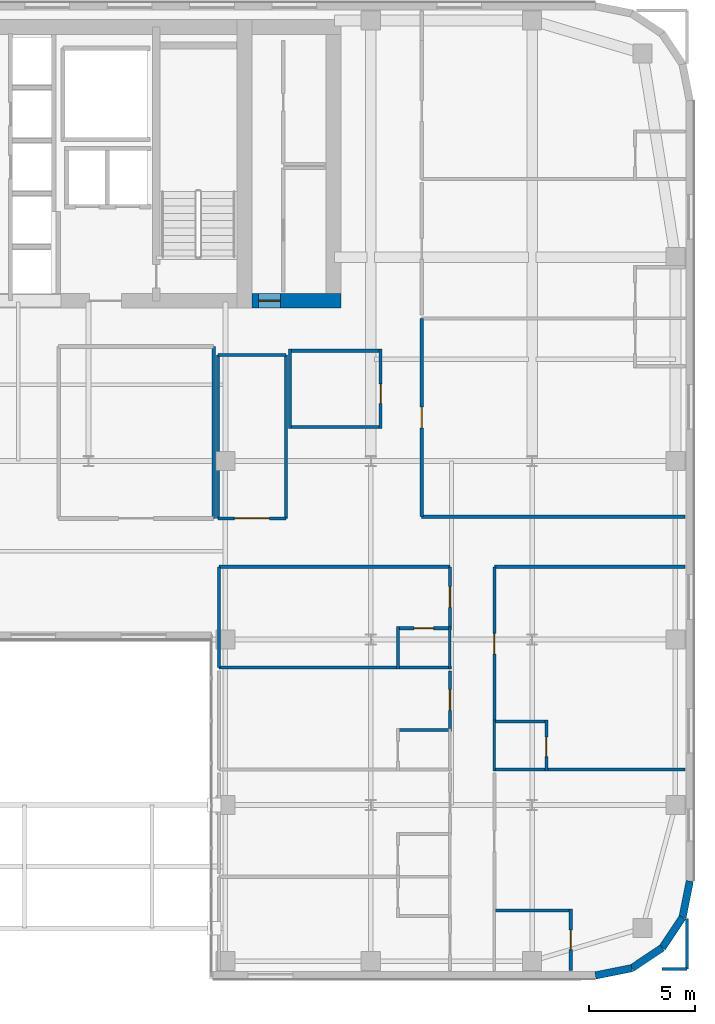
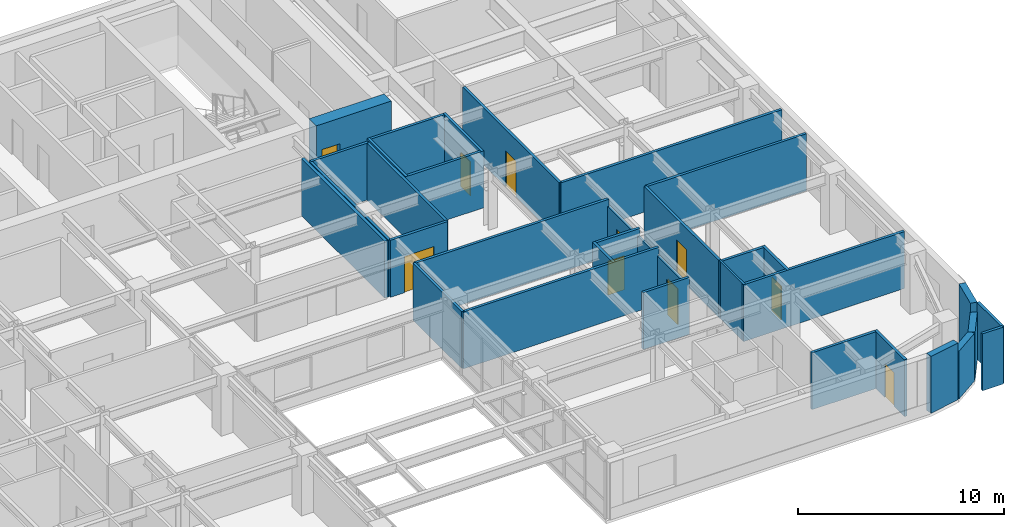
# One storey, part 16 of 24: 35 walls, 10 doors, 10 openings.
"""IFC4 building model written with IfcOpenShell, lengths in metres."""

from ifc_helpers import new_model, si_unit, direction, frame, frame_2d, origin, place, context, subcontext, project, spatial, rectangle, extrude, source, transform, mapped, material, layer, layer_set, type_object, type_shapes, element, fill, save


model = new_model("IFC4")

# Units and contexts
model_context = context("Model", 3, precision=1e-05, world=origin(), true_north=direction((0.0, 1.0)))
body_context = subcontext(model_context, "Body", "Model", "MODEL_VIEW")
ifc_project = project(units=[si_unit("LENGTHUNIT", "METRE"), si_unit("AREAUNIT", "SQUARE_METRE"), si_unit("VOLUMEUNIT", "CUBIC_METRE"), si_unit("PLANEANGLEUNIT", "RADIAN"), si_unit("MASSUNIT", "GRAM", prefix="KILO")], contexts=[model_context])

# Site, building, storey
site_placement = place(None, origin())
site = spatial("IfcSite", under=ifc_project, at=site_placement, CompositionType="ELEMENT")
building_placement = place(site_placement, origin())
building = spatial("IfcBuilding", under=site, at=building_placement, Name="Tolvann Quenvar Hotel", CompositionType="ELEMENT")
storey_placement = place(building_placement, frame((0.0, 0.0, 118.64990234375)))
storey = spatial("IfcBuildingStorey", under=building, at=storey_placement, Name="L30", CompositionType="ELEMENT", Elevation=118.64990234375)

# Wall, opening, door
ifc_material_1 = material(Name="Concrete S65 (65 MPa)", Category="concrete")
ifc_layer_1 = layer(ifc_material_1, 0.699951171875)
ifc_layer_set_1 = layer_set([ifc_layer_1], Name="Concrete S65 (65 MPa)")
wall_type_1 = type_object("IfcWallType", Name="WALL_CORE_700", PredefinedType="SHEAR", material=ifc_layer_set_1)
wall_1_placement = place(storey_placement, frame((36.199951171875, 31.949951171875, 0.0), z_axis=(0.0, 0.0, 1.0), x_axis=(1.0, 0.0, 0.0)))
wall_1 = element("IfcWall", 1, at=wall_1_placement, inside=storey, type_object=wall_type_1, Name="Core East Annex Shear Wall ANN-S (L30)", PredefinedType="SHEAR", context=body_context, shape_type="SweptSolid", body=[
    extrude(rectangle(XDim=4.199951171875, YDim=0.699951171875, at=frame_2d((2.10009765625, 0.0))), origin(), (0.0, 0.0, 1.0), 3.550048828125),
])
opening_1_placement = place(wall_1_placement, frame((1.340087890625, 0.0, 0.0), z_axis=(0.0, 0.0, 1.0), x_axis=(-1.0, 0.0, 0.0)))
opening_1 = element("IfcOpeningElement", 2, at=opening_1_placement, cuts=wall_1, Name="Opening HD-01", PredefinedType="OPENING", context=body_context, shape_type="SweptSolid", body=[
    extrude(rectangle(XDim=1.02001953125, YDim=2.030029296875, at=frame_2d((0.510009765625, 1.01513671875))), frame((0.0, 0.35986328125, 0.0), z_axis=(0.0, -1.0, 0.0), x_axis=(1.0, 0.0, 0.0)), (0.0, 0.0, 1.0), 0.719970703125),
])
ifc_material_2 = material(Name="Pressed galvanised steel fire-rated door set", Category="steel")
door_type_1 = type_object("IfcDoorType", Name="DOOR_BOH_1020", OperationType="NOTDEFINED", PredefinedType="DOOR", material=ifc_material_2)
shared_shape_1 = source(origin(), body_context, "Body", "SweptSolid", [
    extrude(rectangle(XDim=1.02001953125, YDim=2.030029296875, at=frame_2d((0.510009765625, 1.01513671875))), frame((0.0, 0.02490234375, 0.0), z_axis=(0.0, -1.0, 0.0), x_axis=(1.0, 0.0, 0.0)), (0.0, 0.0, 1.0), 0.050048828125),
])
type_shapes(door_type_1, [shared_shape_1])
door_1_placement = place(opening_1_placement, origin())
door_1 = element("IfcDoor", 3, at=door_1_placement, inside=storey, type_object=door_type_1, Name="Housekeeping Annex Fire Door (L30)", OperationType="SINGLE_SWING_RIGHT", OverallHeight=2.030029296875, OverallWidth=1.02001953125, PredefinedType="DOOR", context=body_context, shape_type="MappedRepresentation", body=[
    mapped(shared_shape_1, transform((0.0, 0.0, 0.0), x_axis=(1.0, 0.0, 0.0), y_axis=(0.0, 1.0, 0.0), z_axis=(0.0, 0.0, 1.0), scale=1.0)),
])
fill(opening_1, door_1)

# Walls
ifc_material_3 = material(Name="Kiln-fired red and buff architectural clay brickwork and terracotta masonry", Category="masonry")
ifc_layer_2 = layer(ifc_material_3, 0.35009765625)
ifc_layer_set_2 = layer_set([ifc_layer_2], Name="Kiln-fired red and buff architectural clay brickwork and terracotta masonry")
wall_type_2 = type_object("IfcWallType", Name="WALL_EXT_BRICK_350", PredefinedType="SOLIDWALL", material=ifc_layer_set_2)
wall_2_placement = place(storey_placement, frame((52.3828125, 0.175048828125, 0.0), z_axis=(0.0, 0.0, 1.0), x_axis=(0.980800971659, 0.195011420161, 0.0)))
element("IfcWall", 4, at=wall_2_placement, inside=storey, type_object=wall_type_2, Name="Exterior Chicago Brick Wall L30-E09", PredefinedType="SOLIDWALL", context=body_context, shape_type="SweptSolid", body=[
    extrude(rectangle(XDim=1.74267578125, YDim=0.35009765625, at=frame_2d((0.871337890625, 0.0))), origin(), (0.0, 0.0, 1.0), 3.3701171875),
])
for number, where, z_axis, x_axis, name in (
    (5, (54.092041015625, 0.514892578125, 0.0), (0.0, 0.0, 1.0), (0.831483840845, 0.55554893791, 0.0), "Exterior Chicago Brick Wall L30-E10"),
    (6, (55.526611328125, 1.473388671875, 0.0), (0.0, 0.0, 1.0), (0.55554893791, 0.831483840845, 0.0), "Exterior Chicago Brick Wall L30-E11"),
):
    element("IfcWall", number, at=place(storey_placement, frame(where, z_axis=z_axis, x_axis=x_axis)), inside=storey, type_object=wall_type_2, Name=name, PredefinedType="SOLIDWALL", context=body_context, shape_type="SweptSolid", body=[
        extrude(rectangle(XDim=1.725341796875, YDim=0.35009765625, at=frame_2d((0.86279296875, 0.0))), origin(), (0.0, 0.0, 1.0), 2.83203125),
    ])
wall_3_placement = place(storey_placement, frame((56.485107421875, 2.907958984375, 0.0), z_axis=(0.0, 0.0, 1.0), x_axis=(0.195011420161, 0.980800971659, 0.0)))
element("IfcWall", 7, at=wall_3_placement, inside=storey, type_object=wall_type_2, Name="Exterior Chicago Brick Wall L30-E12", PredefinedType="SOLIDWALL", context=body_context, shape_type="SweptSolid", body=[
    extrude(rectangle(XDim=1.74267578125, YDim=0.35009765625, at=frame_2d((0.871337890625, 0.0))), origin(), (0.0, 0.0, 1.0), 3.3701171875),
])
ifc_material_4 = material(Name="Acoustic twin-stud fire-rated gypsum plasterboard partition")
ifc_layer_3 = layer(ifc_material_4, 0.179931640625)
ifc_layer_set_3 = layer_set([ifc_layer_3], Name="Acoustic twin-stud fire-rated gypsum plasterboard partition")
wall_type_3 = type_object("IfcWallType", Name="WALL_PART_ACOUSTIC_180", PredefinedType="PARTITIONING", material=ifc_layer_set_3)
wall_4_placement = place(storey_placement, frame((34.39990234375, 21.699951171875, 0.0), z_axis=(0.0, 0.0, 1.0), x_axis=(0.0, 1.0, 0.0)))
element("IfcWall", 8, at=wall_4_placement, inside=storey, type_object=wall_type_3, Name="Interior Partition PT-SPC-L30-MSP-C-E", PredefinedType="PARTITIONING", context=body_context, shape_type="SweptSolid", body=[
    extrude(rectangle(XDim=8.10009765625, YDim=0.179931640625, at=frame_2d((4.050048828125, 0.0))), origin(), (0.0, 0.0, 1.0), 3.3701171875),
])
ifc_material_5 = material(Name="Moisture-resistant acoustic plumbing wall assembly")
ifc_layer_4 = layer(ifc_material_5, 0.1201171875)
ifc_layer_set_4 = layer_set([ifc_layer_4], Name="Moisture-resistant acoustic plumbing wall assembly")
wall_type_4 = type_object("IfcWallType", Name="WALL_PART_BATH_120", PredefinedType="PLUMBINGWALL", material=ifc_layer_set_4)
wall_5_placement = place(storey_placement, frame((45.530029296875, 14.610107421875, 0.0), z_axis=(0.0, 0.0, 1.0), x_axis=(0.0, 1.0, 0.0)))
element("IfcWall", 9, at=wall_5_placement, inside=storey, type_object=wall_type_4, Name="Non-Rated Plumbing Partition PT-SPC-L30-ENS-EI04-E", PredefinedType="PLUMBINGWALL", context=body_context, shape_type="SweptSolid", body=[
    extrude(rectangle(XDim=1.989990234375, YDim=0.1201171875, at=frame_2d((0.9951171875, 0.0))), origin(), (0.0, 0.0, 1.0), 2.9541015625),
])
wall_6_placement = place(storey_placement, frame((47.6201171875, 9.81005859375, 0.0), z_axis=(0.0, 0.0, 1.0), x_axis=(0.0, 1.0, 0.0)))
element("IfcWall", 10, at=wall_6_placement, inside=storey, type_object=wall_type_4, Name="Non-Rated Plumbing Partition PT-SPC-L30-ENS-EO02-W", PredefinedType="PLUMBINGWALL", context=body_context, shape_type="SweptSolid", body=[
    extrude(rectangle(XDim=2.389892578125, YDim=0.1201171875, at=frame_2d((1.19482421875, 0.0))), origin(), (0.0, 0.0, 1.0), 3.3701171875),
])
ifc_layer_5 = layer(ifc_material_4, 0.14990234375)
ifc_layer_set_5 = layer_set([ifc_layer_5], Name="Acoustic twin-stud fire-rated gypsum plasterboard partition")
wall_type_5 = type_object("IfcWallType", Name="WALL_PART_SUITE_150", PredefinedType="PARTITIONING", material=ifc_layer_set_5)
wall_7_placement = place(storey_placement, frame((43.010009765625, 11.72998046875, 0.0), z_axis=(0.0, 0.0, 1.0), x_axis=(1.0, 0.0, 0.0)))
element("IfcWall", 11, at=wall_7_placement, inside=storey, type_object=wall_type_5, Name="Interior Partition PT-SPC-L30-ENS-EI03-N", PredefinedType="PARTITIONING", context=body_context, shape_type="SweptSolid", body=[
    extrude(rectangle(XDim=2.590087890625, YDim=0.14990234375, at=frame_2d((1.294921875, 0.0))), origin(), (0.0, 0.0, 1.0), 3.3701171875),
])
wall_8_placement = place(storey_placement, frame((43.080078125, 14.610107421875, 0.0), z_axis=(0.0, 0.0, 1.0), x_axis=(0.0, 1.0, 0.0)))
element("IfcWall", 12, at=wall_8_placement, inside=storey, type_object=wall_type_5, Name="Interior Partition PT-SPC-L30-ENS-EI04-ENT", PredefinedType="PARTITIONING", context=body_context, shape_type="SweptSolid", body=[
    extrude(rectangle(XDim=1.989990234375, YDim=0.14990234375, at=frame_2d((0.9951171875, 0.0))), origin(), (0.0, 0.0, 1.0), 3.3701171875),
])
wall_9_placement = place(storey_placement, frame((34.64990234375, 14.679931640625, 0.0), z_axis=(0.0, 0.0, 1.0), x_axis=(1.0, 0.0, 0.0)))
element("IfcWall", 13, at=wall_9_placement, inside=storey, type_object=wall_type_5, Name="Interior Partition PT-SPC-L30-ENS-EI04-S", PredefinedType="PARTITIONING", context=body_context, shape_type="SweptSolid", body=[
    extrude(rectangle(XDim=10.9501953125, YDim=0.14990234375, at=frame_2d((5.47509765625, 0.0))), origin(), (0.0, 0.0, 1.0), 3.3701171875),
])

# Wall, opening, door
wall_10_placement = place(storey_placement, frame((43.010009765625, 16.530029296875, 0.0), z_axis=(0.0, 0.0, 1.0), x_axis=(1.0, 0.0, 0.0)))
wall_10 = element("IfcWall", 14, at=wall_10_placement, inside=storey, type_object=wall_type_5, Name="Interior Partition PT-SPC-L30-ENS-EI04-N", PredefinedType="PARTITIONING", context=body_context, shape_type="SweptSolid", body=[
    extrude(rectangle(XDim=2.590087890625, YDim=0.14990234375, at=frame_2d((1.294921875, 0.0))), origin(), (0.0, 0.0, 1.0), 3.3701171875),
])
opening_2_placement = place(wall_10_placement, frame((0.8349609375, 0.0, 0.0)))
opening_2 = element("IfcOpeningElement", 15, at=opening_2_placement, cuts=wall_10, Name="Opening WD-01", PredefinedType="OPENING", context=body_context, shape_type="SweptSolid", body=[
    extrude(rectangle(XDim=0.919921875, YDim=2.010009765625, at=frame_2d((0.4599609375, 1.0048828125))), frame((0.0, 0.0849609375, 0.0), z_axis=(0.0, -1.0, 0.0), x_axis=(1.0, 0.0, 0.0)), (0.0, 0.0, 1.0), 0.169921875),
])
ifc_material_6 = material(Name="Solid-core American oak acoustic fire door leaf in steel frame", Category="steel")
door_type_2 = type_object("IfcDoorType", Name="DOOR_WC_920", OperationType="NOTDEFINED", PredefinedType="DOOR", material=ifc_material_6)
shared_shape_2 = source(origin(), body_context, "Body", "SweptSolid", [
    extrude(rectangle(XDim=0.919921875, YDim=2.010009765625, at=frame_2d((0.4599609375, 1.0048828125))), frame((0.0, 0.02490234375, 0.0), z_axis=(0.0, -1.0, 0.0), x_axis=(1.0, 0.0, 0.0)), (0.0, 0.0, 1.0), 0.050048828125),
])
type_shapes(door_type_2, [shared_shape_2])
door_2_placement = place(opening_2_placement, origin())
door_2 = element("IfcDoor", 16, at=door_2_placement, inside=storey, type_object=door_type_2, Name="Interior Door DOOR-SPC-L30-ENS-EI04", OperationType="SINGLE_SWING_RIGHT", OverallHeight=2.010009765625, OverallWidth=0.919921875, PredefinedType="DOOR", context=body_context, shape_type="MappedRepresentation", body=[
    mapped(shared_shape_2, transform((0.0, 0.0, 0.0), x_axis=(1.0, 0.0, 0.0), y_axis=(0.0, 1.0, 0.0), z_axis=(0.0, 0.0, 1.0), scale=1.0)),
])
fill(opening_2, door_2)

wall_11_placement = place(storey_placement, frame((51.219970703125, 0.405029296875, 0.0), z_axis=(0.0, 0.0, 1.0), x_axis=(0.0, 1.0, 0.0)))
wall_11 = element("IfcWall", 17, at=wall_11_placement, inside=storey, type_object=wall_type_5, Name="Interior Partition PT-SPC-L30-ENS-EO01-ENT", PredefinedType="PARTITIONING", context=body_context, shape_type="SweptSolid", body=[
    extrude(rectangle(XDim=2.89501953125, YDim=0.14990234375, at=frame_2d((1.447509765625, 0.0))), origin(), (0.0, 0.0, 1.0), 3.3701171875),
])
opening_3_placement = place(wall_11_placement, frame((0.97998046875, 0.0, 0.0)))
opening_3 = element("IfcOpeningElement", 18, at=opening_3_placement, cuts=wall_11, Name="Opening WD-01", PredefinedType="OPENING", context=body_context, shape_type="SweptSolid", body=[
    extrude(rectangle(XDim=0.919921875, YDim=2.010009765625, at=frame_2d((0.4599609375, 1.0048828125))), frame((0.0, 0.0849609375, 0.0), z_axis=(0.0, -1.0, 0.0), x_axis=(1.0, 0.0, 0.0)), (0.0, 0.0, 1.0), 0.169921875),
])
door_3_placement = place(opening_3_placement, origin())
door_3 = element("IfcDoor", 19, at=door_3_placement, inside=storey, type_object=door_type_2, Name="Interior Door DOOR-SPC-L30-ENS-EO01", OperationType="SINGLE_SWING_LEFT", OverallHeight=2.010009765625, OverallWidth=0.919921875, PredefinedType="DOOR", context=body_context, shape_type="MappedRepresentation", body=[
    mapped(shared_shape_2, transform((0.0, 0.0, 0.0), x_axis=(1.0, 0.0, 0.0), y_axis=(0.0, 1.0, 0.0), z_axis=(0.0, 0.0, 1.0), scale=1.0)),
])
fill(opening_3, door_3)

# Wall
wall_12_placement = place(storey_placement, frame((47.550048828125, 3.22998046875, 0.0), z_axis=(0.0, 0.0, 1.0), x_axis=(1.0, 0.0, 0.0)))
element("IfcWall", 20, at=wall_12_placement, inside=storey, type_object=wall_type_5, Name="Interior Partition PT-SPC-L30-ENS-EO01-N", PredefinedType="PARTITIONING", context=body_context, shape_type="SweptSolid", body=[
    extrude(rectangle(XDim=3.739990234375, YDim=0.14990234375, at=frame_2d((1.8701171875, 0.0))), origin(), (0.0, 0.0, 1.0), 3.3701171875),
])

# Wall, opening, door
wall_13_placement = place(storey_placement, frame((50.070068359375, 9.81005859375, 0.0), z_axis=(0.0, 0.0, 1.0), x_axis=(0.0, 1.0, 0.0)))
wall_13 = element("IfcWall", 21, at=wall_13_placement, inside=storey, type_object=wall_type_5, Name="Interior Partition PT-SPC-L30-ENS-EO02-ENT", PredefinedType="PARTITIONING", context=body_context, shape_type="SweptSolid", body=[
    extrude(rectangle(XDim=2.389892578125, YDim=0.14990234375, at=frame_2d((1.19482421875, 0.0))), origin(), (0.0, 0.0, 1.0), 3.3701171875),
])
opening_4_placement = place(wall_13_placement, frame((0.6650390625, 0.0, 0.0)))
opening_4 = element("IfcOpeningElement", 22, at=opening_4_placement, cuts=wall_13, Name="Opening WD-01", PredefinedType="OPENING", context=body_context, shape_type="SweptSolid", body=[
    extrude(rectangle(XDim=0.919921875, YDim=2.010009765625, at=frame_2d((0.4599609375, 1.0048828125))), frame((0.0, 0.0849609375, 0.0), z_axis=(0.0, -1.0, 0.0), x_axis=(1.0, 0.0, 0.0)), (0.0, 0.0, 1.0), 0.169921875),
])
door_4_placement = place(opening_4_placement, origin())
door_4 = element("IfcDoor", 23, at=door_4_placement, inside=storey, type_object=door_type_2, Name="Interior Door DOOR-SPC-L30-ENS-EO02", OperationType="SINGLE_SWING_RIGHT", OverallHeight=2.010009765625, OverallWidth=0.919921875, PredefinedType="DOOR", context=body_context, shape_type="MappedRepresentation", body=[
    mapped(shared_shape_2, transform((0.0, 0.0, 0.0), x_axis=(1.0, 0.0, 0.0), y_axis=(0.0, 1.0, 0.0), z_axis=(0.0, 0.0, 1.0), scale=1.0)),
])
fill(opening_4, door_4)

# Walls
wall_14_placement = place(storey_placement, frame((47.550048828125, 9.8798828125, 0.0), z_axis=(0.0, 0.0, 1.0), x_axis=(1.0, 0.0, 0.0)))
element("IfcWall", 24, at=wall_14_placement, inside=storey, type_object=wall_type_5, Name="Interior Partition PT-SPC-L30-ENS-EO02-S", PredefinedType="PARTITIONING", context=body_context, shape_type="SweptSolid", body=[
    extrude(rectangle(XDim=9.044921875, YDim=0.14990234375, at=frame_2d((4.5224609375, 0.0))), origin(), (0.0, 0.0, 1.0), 3.3701171875),
])
wall_15_placement = place(storey_placement, frame((47.550048828125, 12.1298828125, 0.0), z_axis=(0.0, 0.0, 1.0), x_axis=(1.0, 0.0, 0.0)))
element("IfcWall", 25, at=wall_15_placement, inside=storey, type_object=wall_type_5, Name="Interior Partition PT-SPC-L30-ENS-EO02-N", PredefinedType="PARTITIONING", context=body_context, shape_type="SweptSolid", body=[
    extrude(rectangle(XDim=2.58984375, YDim=0.14990234375, at=frame_2d((1.294921875, 0.0))), origin(), (0.0, 0.0, 1.0), 3.3701171875),
])

# Wall, opening, door
wall_16_placement = place(storey_placement, frame((45.530029296875, 11.81005859375, 0.0), z_axis=(0.0, 0.0, 1.0), x_axis=(0.0, 1.0, 0.0)))
wall_16 = element("IfcWall", 26, at=wall_16_placement, inside=storey, type_object=wall_type_5, Name="Interior Partition PT-SPC-L30-RM-EI03-ENT", PredefinedType="PARTITIONING", context=body_context, shape_type="SweptSolid", body=[
    extrude(rectangle(XDim=2.7099609375, YDim=0.14990234375, at=frame_2d((1.35498046875, 0.0))), origin(), (0.0, 0.0, 1.0), 2.9541015625),
])
opening_5_placement = place(wall_16_placement, frame((0.844970703125, 0.0, 0.0)))
opening_5 = element("IfcOpeningElement", 27, at=opening_5_placement, cuts=wall_16, Name="Opening SD-01", PredefinedType="OPENING", context=body_context, shape_type="SweptSolid", body=[
    extrude(rectangle(XDim=0.97998046875, YDim=2.1201171875, at=frame_2d((0.489990234375, 1.06005859375))), frame((0.0, 0.0849609375, 0.0), z_axis=(0.0, -1.0, 0.0), x_axis=(1.0, 0.0, 0.0)), (0.0, 0.0, 1.0), 0.169921875),
])
door_type_3 = type_object("IfcDoorType", Name="DOOR_SUITE_980", OperationType="NOTDEFINED", PredefinedType="DOOR", material=ifc_material_6)
shared_shape_3 = source(origin(), body_context, "Body", "SweptSolid", [
    extrude(rectangle(XDim=0.97998046875, YDim=2.1201171875, at=frame_2d((0.489990234375, 1.06005859375))), frame((0.0, 0.02490234375, 0.0), z_axis=(0.0, -1.0, 0.0), x_axis=(1.0, 0.0, 0.0)), (0.0, 0.0, 1.0), 0.050048828125),
])
type_shapes(door_type_3, [shared_shape_3])
door_5_placement = place(opening_5_placement, origin())
door_5 = element("IfcDoor", 28, at=door_5_placement, inside=storey, type_object=door_type_3, Name="Interior Door DOOR-SPC-L30-RM-EI03", OperationType="SINGLE_SWING_LEFT", OverallHeight=2.1201171875, OverallWidth=0.97998046875, PredefinedType="DOOR", context=body_context, shape_type="MappedRepresentation", body=[
    mapped(shared_shape_3, transform((0.0, 0.0, 0.0), x_axis=(1.0, 0.0, 0.0), y_axis=(0.0, 1.0, 0.0), z_axis=(0.0, 0.0, 1.0), scale=1.0)),
])
fill(opening_5, door_5)

wall_17_placement = place(storey_placement, frame((45.530029296875, 16.610107421875, 0.0), z_axis=(0.0, 0.0, 1.0), x_axis=(0.0, 1.0, 0.0)))
wall_17 = element("IfcWall", 29, at=wall_17_placement, inside=storey, type_object=wall_type_5, Name="Interior Partition PT-SPC-L30-RM-EI04-ENT", PredefinedType="PARTITIONING", context=body_context, shape_type="SweptSolid", body=[
    extrude(rectangle(XDim=2.809814453125, YDim=0.14990234375, at=frame_2d((1.40478515625, 0.0))), origin(), (0.0, 0.0, 1.0), 2.9541015625),
])
opening_6_placement = place(wall_17_placement, frame((0.89501953125, 0.0, 0.0)))
opening_6 = element("IfcOpeningElement", 30, at=opening_6_placement, cuts=wall_17, Name="Opening SD-01", PredefinedType="OPENING", context=body_context, shape_type="SweptSolid", body=[
    extrude(rectangle(XDim=0.97998046875, YDim=2.1201171875, at=frame_2d((0.489990234375, 1.06005859375))), frame((0.0, 0.0849609375, 0.0), z_axis=(0.0, -1.0, 0.0), x_axis=(1.0, 0.0, 0.0)), (0.0, 0.0, 1.0), 0.169921875),
])
door_6_placement = place(opening_6_placement, origin())
door_6 = element("IfcDoor", 31, at=door_6_placement, inside=storey, type_object=door_type_3, Name="Interior Door DOOR-SPC-L30-RM-EI04", OperationType="SINGLE_SWING_RIGHT", OverallHeight=2.1201171875, OverallWidth=0.97998046875, PredefinedType="DOOR", context=body_context, shape_type="MappedRepresentation", body=[
    mapped(shared_shape_3, transform((0.0, 0.0, 0.0), x_axis=(1.0, 0.0, 0.0), y_axis=(0.0, 1.0, 0.0), z_axis=(0.0, 0.0, 1.0), scale=1.0)),
])
fill(opening_6, door_6)

# Walls
wall_18_placement = place(storey_placement, frame((34.64990234375, 19.419921875, 0.0), z_axis=(0.0, 0.0, 1.0), x_axis=(1.0, 0.0, 0.0)))
element("IfcWall", 32, at=wall_18_placement, inside=storey, type_object=wall_type_5, Name="Interior Partition PT-SPC-L30-RM-EI04-E5", PredefinedType="PARTITIONING", context=body_context, shape_type="SweptSolid", body=[
    extrude(rectangle(XDim=10.880126953125, YDim=0.14990234375, at=frame_2d((5.43994140625, 0.0))), origin(), (0.0, 0.0, 1.0), 3.3701171875),
])
wall_19_placement = place(storey_placement, frame((34.64990234375, 14.679931640625, 0.0), z_axis=(0.0, 0.0, 1.0), x_axis=(0.0, 1.0, 0.0)))
element("IfcWall", 33, at=wall_19_placement, inside=storey, type_object=wall_type_5, Name="Interior Partition PT-SPC-L30-RM-EI04-E6", PredefinedType="PARTITIONING", context=body_context, shape_type="SweptSolid", body=[
    extrude(rectangle(XDim=4.739990234375, YDim=0.14990234375, at=frame_2d((2.3701171875, 0.0))), origin(), (0.0, 0.0, 1.0), 3.3701171875),
])
wall_20_placement = place(storey_placement, frame((55.52587890625, 0.47998046875, 0.0), z_axis=(0.0, 0.0, 1.0), x_axis=(1.0, 0.0, 0.0)))
element("IfcWall", 34, at=wall_20_placement, inside=storey, type_object=wall_type_5, Name="Interior Partition PT-SPC-L30-RM-EO01-E3", PredefinedType="PARTITIONING", context=body_context, shape_type="SweptSolid", body=[
    extrude(rectangle(XDim=1.174072265625, YDim=0.14990234375, at=frame_2d((0.5869140625, 0.0))), origin(), (0.0, 0.0, 1.0), 3.3701171875),
])
wall_21_placement = place(storey_placement, frame((56.699951171875, 0.47998046875, 0.0), z_axis=(0.0, 0.0, 1.0), x_axis=(0.0, 1.0, 0.0)))
element("IfcWall", 35, at=wall_21_placement, inside=storey, type_object=wall_type_5, Name="Interior Partition PT-SPC-L30-RM-EO01-E4", PredefinedType="PARTITIONING", context=body_context, shape_type="SweptSolid", body=[
    extrude(rectangle(XDim=2.385009765625, YDim=0.14990234375, at=frame_2d((1.1923828125, 0.0))), origin(), (0.0, 0.0, 1.0), 3.3701171875),
])

# Wall, opening, door
wall_22_placement = place(storey_placement, frame((47.6201171875, 12.2099609375, 0.0), z_axis=(0.0, 0.0, 1.0), x_axis=(0.0, 1.0, 0.0)))
wall_22 = element("IfcWall", 36, at=wall_22_placement, inside=storey, type_object=wall_type_5, Name="Interior Partition PT-SPC-L30-RM-EO02-ENT", PredefinedType="PARTITIONING", context=body_context, shape_type="SweptSolid", body=[
    extrude(rectangle(XDim=7.2099609375, YDim=0.14990234375, at=frame_2d((3.60498046875, 0.0))), origin(), (0.0, 0.0, 1.0), 3.3701171875),
])
opening_7_placement = place(wall_22_placement, frame((3.094970703125, 0.0, 0.0)))
opening_7 = element("IfcOpeningElement", 37, at=opening_7_placement, cuts=wall_22, Name="Opening SD-01", PredefinedType="OPENING", context=body_context, shape_type="SweptSolid", body=[
    extrude(rectangle(XDim=0.97998046875, YDim=2.1201171875, at=frame_2d((0.489990234375, 1.06005859375))), frame((0.0, 0.0849609375, 0.0), z_axis=(0.0, -1.0, 0.0), x_axis=(1.0, 0.0, 0.0)), (0.0, 0.0, 1.0), 0.169921875),
])
door_7_placement = place(opening_7_placement, origin())
door_7 = element("IfcDoor", 38, at=door_7_placement, inside=storey, type_object=door_type_3, Name="Interior Door DOOR-SPC-L30-RM-EO02", OperationType="SINGLE_SWING_RIGHT", OverallHeight=2.1201171875, OverallWidth=0.97998046875, PredefinedType="DOOR", context=body_context, shape_type="MappedRepresentation", body=[
    mapped(shared_shape_3, transform((0.0, 0.0, 0.0), x_axis=(1.0, 0.0, 0.0), y_axis=(0.0, 1.0, 0.0), z_axis=(0.0, 0.0, 1.0), scale=1.0)),
])
fill(opening_7, door_7)

# Wall
wall_23_placement = place(storey_placement, frame((47.6201171875, 19.419921875, 0.0), z_axis=(0.0, 0.0, 1.0), x_axis=(1.0, 0.0, 0.0)))
element("IfcWall", 39, at=wall_23_placement, inside=storey, type_object=wall_type_5, Name="Interior Partition PT-SPC-L30-RM-EO02-E5", PredefinedType="PARTITIONING", context=body_context, shape_type="SweptSolid", body=[
    extrude(rectangle(XDim=8.974853515625, YDim=0.14990234375, at=frame_2d((4.4873046875, 0.0))), origin(), (0.0, 0.0, 1.0), 3.3701171875),
])

# Wall, opening, door
wall_24_placement = place(storey_placement, frame((44.199951171875, 21.780029296875, 0.0), z_axis=(0.0, 0.0, 1.0), x_axis=(0.0, 1.0, 0.0)))
wall_24 = element("IfcWall", 40, at=wall_24_placement, inside=storey, type_object=wall_type_5, Name="Interior Partition PT-SPC-L30-RM-NE01-ENT", PredefinedType="PARTITIONING", context=body_context, shape_type="SweptSolid", body=[
    extrude(rectangle(XDim=9.340087890625, YDim=0.14990234375, at=frame_2d((4.669921875, 0.0))), origin(), (0.0, 0.0, 1.0), 3.3701171875),
])
opening_8_placement = place(wall_24_placement, frame((4.179931640625, 0.0, 0.0)))
opening_8 = element("IfcOpeningElement", 41, at=opening_8_placement, cuts=wall_24, Name="Opening SD-01", PredefinedType="OPENING", context=body_context, shape_type="SweptSolid", body=[
    extrude(rectangle(XDim=0.97998046875, YDim=2.1201171875, at=frame_2d((0.489990234375, 1.06005859375))), frame((0.0, 0.0849609375, 0.0), z_axis=(0.0, -1.0, 0.0), x_axis=(1.0, 0.0, 0.0)), (0.0, 0.0, 1.0), 0.169921875),
])
door_8_placement = place(opening_8_placement, origin())
door_8 = element("IfcDoor", 42, at=door_8_placement, inside=storey, type_object=door_type_3, Name="Interior Door DOOR-SPC-L30-RM-NE01", OperationType="SINGLE_SWING_LEFT", OverallHeight=2.1201171875, OverallWidth=0.97998046875, PredefinedType="DOOR", context=body_context, shape_type="MappedRepresentation", body=[
    mapped(shared_shape_3, transform((0.0, 0.0, 0.0), x_axis=(1.0, 0.0, 0.0), y_axis=(0.0, 1.0, 0.0), z_axis=(0.0, 0.0, 1.0), scale=1.0)),
])
fill(opening_8, door_8)

# Wall
wall_25_placement = place(storey_placement, frame((44.199951171875, 21.780029296875, 0.0), z_axis=(0.0, 0.0, 1.0), x_axis=(1.0, 0.0, 0.0)))
element("IfcWall", 43, at=wall_25_placement, inside=storey, type_object=wall_type_5, Name="Interior Partition PT-SPC-L30-RM-NE01-E1", PredefinedType="PARTITIONING", context=body_context, shape_type="SweptSolid", body=[
    extrude(rectangle(XDim=12.39501953125, YDim=0.14990234375, at=frame_2d((6.197509765625, 0.0))), origin(), (0.0, 0.0, 1.0), 3.3701171875),
])

# Wall, opening, door
wall_26_placement = place(storey_placement, frame((42.260009765625, 25.929931640625, 0.0), z_axis=(0.0, 0.0, 1.0), x_axis=(0.0, 1.0, 0.0)))
wall_26 = element("IfcWall", 44, at=wall_26_placement, inside=storey, type_object=wall_type_5, Name="Interior Partition PT-SPC-L30-WCA-ENT", PredefinedType="PARTITIONING", context=body_context, shape_type="SweptSolid", body=[
    extrude(rectangle(XDim=3.739990234375, YDim=0.14990234375, at=frame_2d((1.8701171875, 0.0))), origin(), (0.0, 0.0, 1.0), 3.3701171875),
])
opening_9_placement = place(wall_26_placement, frame((1.18994140625, 0.0, 0.0)))
opening_9 = element("IfcOpeningElement", 45, at=opening_9_placement, cuts=wall_26, Name="Opening WD-01", PredefinedType="OPENING", context=body_context, shape_type="SweptSolid", body=[
    extrude(rectangle(XDim=0.919921875, YDim=2.010009765625, at=frame_2d((0.4599609375, 1.0048828125))), frame((0.0, 0.0849609375, 0.0), z_axis=(0.0, -1.0, 0.0), x_axis=(1.0, 0.0, 0.0)), (0.0, 0.0, 1.0), 0.169921875),
])
door_9_placement = place(opening_9_placement, origin())
door_9 = element("IfcDoor", 46, at=door_9_placement, inside=storey, type_object=door_type_2, Name="Interior Door DOOR-SPC-L30-WCA", OperationType="SINGLE_SWING_RIGHT", OverallHeight=2.010009765625, OverallWidth=0.919921875, PredefinedType="DOOR", context=body_context, shape_type="MappedRepresentation", body=[
    mapped(shared_shape_2, transform((0.0, 0.0, 0.0), x_axis=(1.0, 0.0, 0.0), y_axis=(0.0, 1.0, 0.0), z_axis=(0.0, 0.0, 1.0), scale=1.0)),
])
fill(opening_9, door_9)

# Walls
for number, where, z_axis, x_axis, name in (
    (47, (37.929931640625, 26.0, 0.0), (0.0, 0.0, 1.0), (1.0, 0.0, 0.0), "Interior Partition PT-SPC-L30-WCA-S"),
    (48, (37.929931640625, 29.60009765625, 0.0), (0.0, 0.0, 1.0), (1.0, 0.0, 0.0), "Interior Partition PT-SPC-L30-WCA-N"),
):
    element("IfcWall", number, at=place(storey_placement, frame(where, z_axis=z_axis, x_axis=x_axis)), inside=storey, type_object=wall_type_5, Name=name, PredefinedType="PARTITIONING", context=body_context, shape_type="SweptSolid", body=[
        extrude(rectangle(XDim=4.400146484375, YDim=0.14990234375, at=frame_2d((2.2001953125, 0.0))), origin(), (0.0, 0.0, 1.0), 3.3701171875),
    ])
wall_27_placement = place(storey_placement, frame((38.0, 25.929931640625, 0.0), z_axis=(0.0, 0.0, 1.0), x_axis=(0.0, 1.0, 0.0)))
element("IfcWall", 49, at=wall_27_placement, inside=storey, type_object=wall_type_5, Name="Interior Partition PT-SPC-L30-WCA-W", PredefinedType="PARTITIONING", context=body_context, shape_type="SweptSolid", body=[
    extrude(rectangle(XDim=3.739990234375, YDim=0.14990234375, at=frame_2d((1.8701171875, 0.0))), origin(), (0.0, 0.0, 1.0), 3.3701171875),
])

# Wall, opening, door
wall_28_placement = place(storey_placement, frame((34.60009765625, 21.699951171875, 0.0), z_axis=(0.0, 0.0, 1.0), x_axis=(1.0, 0.0, 0.0)))
wall_28 = element("IfcWall", 50, at=wall_28_placement, inside=storey, type_object=wall_type_5, Name="Interior Partition PT-SPC-L30-MSP-E-S", PredefinedType="PARTITIONING", context=body_context, shape_type="SweptSolid", body=[
    extrude(rectangle(XDim=3.199951171875, YDim=0.14990234375, at=frame_2d((1.60009765625, 0.0))), origin(), (0.0, 0.0, 1.0), 3.3701171875),
])
opening_10_placement = place(wall_28_placement, frame((0.77490234375, 0.0, 0.0)))
opening_10 = element("IfcOpeningElement", 51, at=opening_10_placement, cuts=wall_28, Name="Opening AD-01", PredefinedType="OPENING", context=body_context, shape_type="SweptSolid", body=[
    extrude(rectangle(XDim=1.64990234375, YDim=2.14990234375, at=frame_2d((0.824951171875, 1.074951171875))), frame((0.0, 0.0849609375, 0.0), z_axis=(0.0, -1.0, 0.0), x_axis=(1.0, 0.0, 0.0)), (0.0, 0.0, 1.0), 0.169921875),
])
door_type_4 = type_object("IfcDoorType", Name="DOOR_SALON_1650", OperationType="NOTDEFINED", PredefinedType="DOOR", material=ifc_material_6)
shared_shape_4 = source(origin(), body_context, "Body", "SweptSolid", [
    extrude(rectangle(XDim=1.64990234375, YDim=2.14990234375, at=frame_2d((0.824951171875, 1.074951171875))), frame((0.0, 0.02490234375, 0.0), z_axis=(0.0, -1.0, 0.0), x_axis=(1.0, 0.0, 0.0)), (0.0, 0.0, 1.0), 0.050048828125),
])
type_shapes(door_type_4, [shared_shape_4])
door_10_placement = place(opening_10_placement, origin())
door_10 = element("IfcDoor", 52, at=door_10_placement, inside=storey, type_object=door_type_4, Name="Interior Door DOOR-SPC-L30-MSP-E", OperationType="DOUBLE_DOOR_SINGLE_SWING", OverallHeight=2.14990234375, OverallWidth=1.64990234375, PredefinedType="DOOR", context=body_context, shape_type="MappedRepresentation", body=[
    mapped(shared_shape_4, transform((0.0, 0.0, 0.0), x_axis=(1.0, 0.0, 0.0), y_axis=(0.0, 1.0, 0.0), z_axis=(0.0, 0.0, 1.0), scale=1.0)),
])
fill(opening_10, door_10)

# Walls
wall_29_placement = place(storey_placement, frame((34.60009765625, 29.39990234375, 0.0), z_axis=(0.0, 0.0, 1.0), x_axis=(1.0, 0.0, 0.0)))
element("IfcWall", 53, at=wall_29_placement, inside=storey, type_object=wall_type_5, Name="Interior Partition PT-SPC-L30-MSP-E-N", PredefinedType="PARTITIONING", context=body_context, shape_type="SweptSolid", body=[
    extrude(rectangle(XDim=3.199951171875, YDim=0.14990234375, at=frame_2d((1.60009765625, 0.0))), origin(), (0.0, 0.0, 1.0), 3.3701171875),
])
for number, where, z_axis, x_axis, name in (
    (54, (34.60009765625, 21.699951171875, 0.0), (0.0, 0.0, 1.0), (0.0, 1.0, 0.0), "Interior Partition PT-SPC-L30-MSP-E-W"),
    (55, (37.800048828125, 21.699951171875, 0.0), (0.0, 0.0, 1.0), (0.0, 1.0, 0.0), "Interior Partition PT-SPC-L30-MSP-E-E"),
):
    element("IfcWall", number, at=place(storey_placement, frame(where, z_axis=z_axis, x_axis=x_axis)), inside=storey, type_object=wall_type_5, Name=name, PredefinedType="PARTITIONING", context=body_context, shape_type="SweptSolid", body=[
        extrude(rectangle(XDim=7.699951171875, YDim=0.14990234375, at=frame_2d((3.85009765625, 0.0))), origin(), (0.0, 0.0, 1.0), 3.3701171875),
    ])

save(model, "model.ifc")
